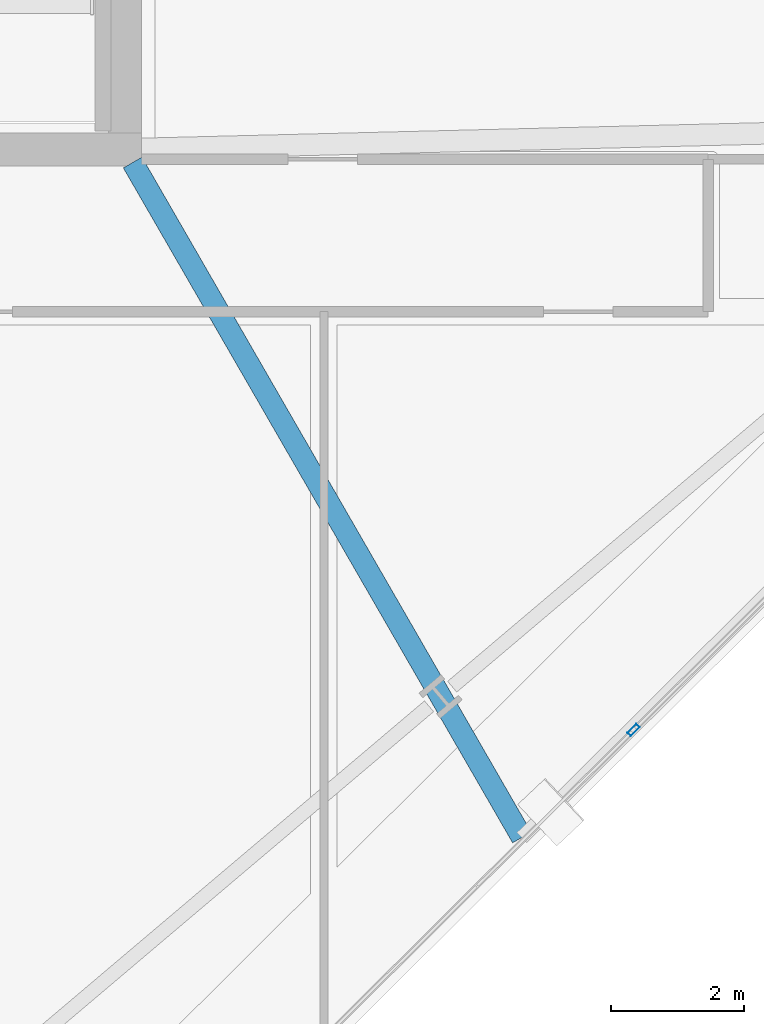
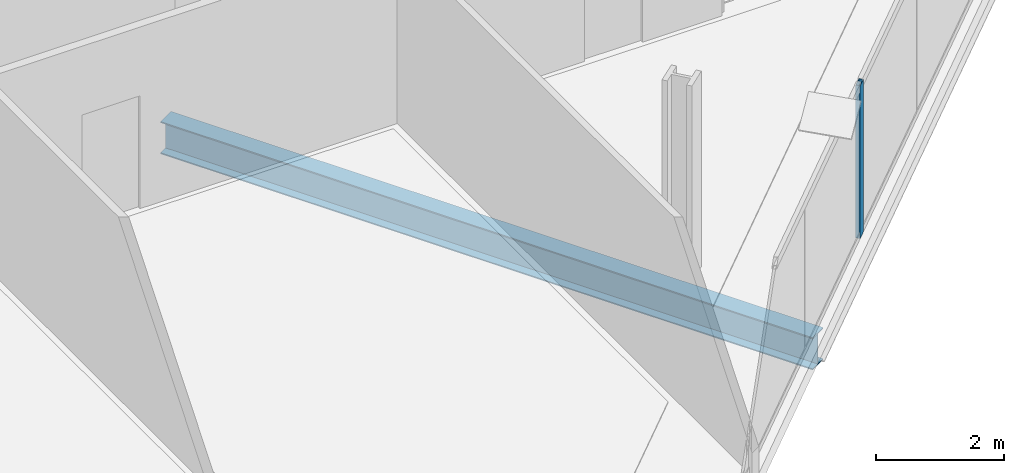
# One storey, part 8 of 32: 1 beam, 1 member, 1 element without a shape of its own.
"""IFC4 building model written with IfcOpenShell, lengths in metres."""

from ifc_helpers import new_model, si_unit, direction, frame, origin, origin_2d, place, context, subcontext, project, spatial, hollow_rectangle, i_section, extrude, material, material_profile, profile_set, type_object, element, aggregate, save


model = new_model("IFC4")

# Units and contexts
model_context = context("Model", 3, precision=1e-05, world=origin(), true_north=direction((0.0, 1.0)))
body_context = subcontext(model_context, "Body", "Model", "MODEL_VIEW")
ifc_project = project(units=[si_unit("LENGTHUNIT", "METRE"), si_unit("AREAUNIT", "SQUARE_METRE"), si_unit("VOLUMEUNIT", "CUBIC_METRE"), si_unit("PLANEANGLEUNIT", "RADIAN"), si_unit("MASSUNIT", "GRAM", prefix="KILO")], contexts=[model_context])

# Site, building, storey
site_placement = place(None, origin())
site = spatial("IfcSite", under=ifc_project, at=site_placement, CompositionType="ELEMENT")
building_placement = place(site_placement, origin())
building = spatial("IfcBuilding", under=site, at=building_placement, Name="Haldenkirk Collegiate Tower", CompositionType="ELEMENT")
storey_placement = place(building_placement, frame((0.0, 0.0, 178.199951171875)))
storey = spatial("IfcBuildingStorey", under=building, at=storey_placement, Name="L44", CompositionType="ELEMENT", Elevation=178.199951171875)

# Beam
ifc_material_1 = material(Name="Steel ASTM A992 Grade 50", Category="steel")
ifc_material_profile_1 = material_profile(ifc_material_1, i_section(OverallWidth=0.324951171875, OverallDepth=0.615966796875, WebThickness=0.013916015625, FlangeThickness=0.021484375, at=origin_2d()), Name="W24X117")
ifc_profile_set_1 = profile_set([ifc_material_profile_1], Name="Steel ASTM A992 Grade 50")
beam_type = type_object("IfcBeamType", Name="BM-GIRDER-W24X117", PredefinedType="BEAM", material=ifc_profile_set_1)
beam_placement = place(storey_placement, frame((50.989501953125, 7.61572265625, -0.597900390625), z_axis=(-0.499627778734, 0.866240199204, 0.0), x_axis=(-0.866240199204, -0.499627778734, 0.0)))
element("IfcBeam", 1, at=beam_placement, inside=storey, type_object=beam_type, Name="L44 primary floor girder 06", PredefinedType="BEAM", context=body_context, shape_type="SweptSolid", body=[
    extrude(i_section(OverallWidth=0.324951171875, OverallDepth=0.615966796875, WebThickness=0.013916015625, FlangeThickness=0.021484375, at=origin_2d()), origin(), (0.0, 0.0, 1.0), 11.7578125),
])

# Curtain wall, member
ifc_material_2 = material(Name="Anodised architectural bronze aluminium", Category="aluminium")
curtain_wall_type = type_object("IfcCurtainWallType", Name="CW-SYS2-CONCAVE", PredefinedType="USERDEFINED", material=ifc_material_2)
curtain_wall_placement = place(storey_placement, origin())
curtain_wall = element("IfcCurtainWall", 2, at=curtain_wall_placement, inside=storey, type_object=curtain_wall_type, Name="L44 South concave recessed bronze-anodised curtain wall", ObjectType="UNITISED CURTAIN WALL", PredefinedType="USERDEFINED")
ifc_material_profile_2 = material_profile(ifc_material_2, hollow_rectangle(XDim=0.074951171875, YDim=0.18994140625, WallThickness=0.0048828125, at=origin_2d()), Name="CW-MUL-02")
ifc_profile_set_2 = profile_set([ifc_material_profile_2], Name="Anodised architectural bronze aluminium")
member_type = type_object("IfcMemberType", Name="CW-MUL-02", PredefinedType="MULLION", material=ifc_profile_set_2)
member_placement = place(storey_placement, frame((52.67578125, 9.23681640625, 0.0), z_axis=(0.0, 0.0, 1.0), x_axis=(0.705254740393, -0.708953983805, 0.0)))
member = element("IfcMember", 3, at=member_placement, type_object=member_type, Name="CW-02 mullion 3", PredefinedType="MULLION", context=body_context, shape_type="SweptSolid", body=[
    extrude(hollow_rectangle(XDim=0.074951171875, YDim=0.18994140625, WallThickness=0.0048828125, at=origin_2d()), origin(), (0.0, 0.0, 1.0), 2.9111328125),
])
aggregate(curtain_wall, [member])

save(model, "model.ifc")
